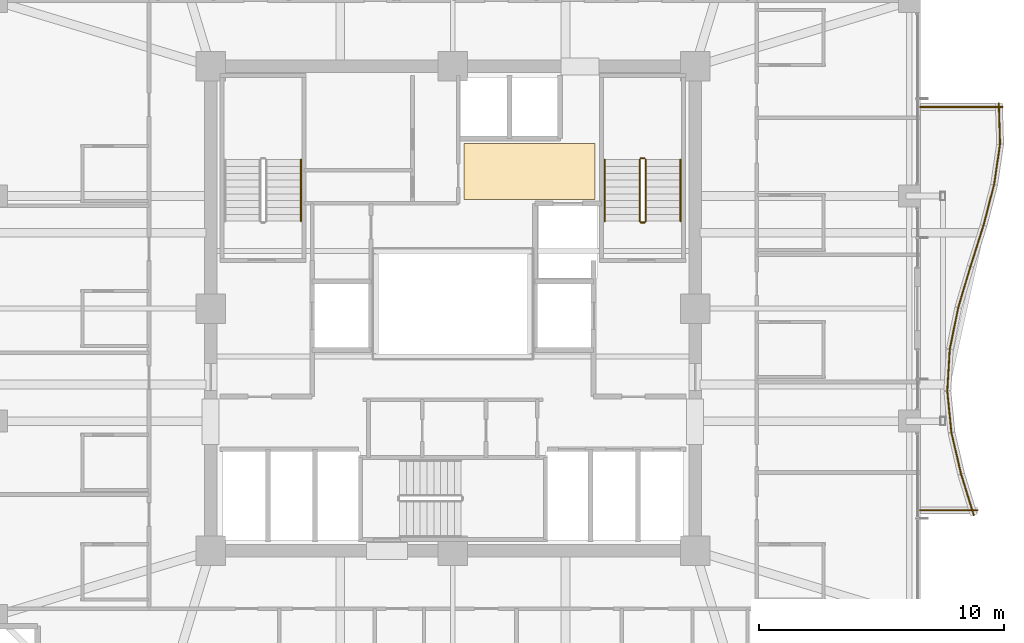
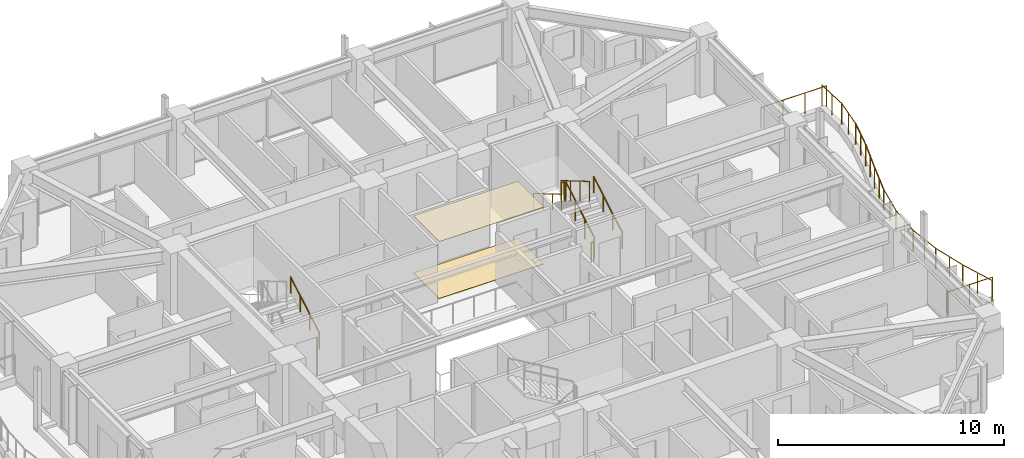
# One storey, part 37 of 37: 19 railings, 2 coverings.
"""IFC4 building model written with IfcOpenShell, lengths in metres."""

import ifcopenshell
import ifcopenshell.guid

model = None  # the IFC model being written
_history = None  # IfcOwnerHistory: only IFC2X3 demands one
_inside = {}  # id of a spatial element -> (the spatial element, [elements in it])
_under = {}  # id of a project, library or spatial element -> (it, [spatial elements below it])
_declared = {}  # id of a project -> (the project, [libraries it declares])
_typed = {}  # id of a type object -> (the type object, [elements of that type])
_made_of = {}  # id of a material, layer set ... -> (it, [elements and type objects made of it])


def new_model(schema):
    """Start an empty IFC model of exactly this schema.

    Asked for "IFC4X3", IfcOpenShell would pick the latest addendum, in which some entities
    have other attributes; the version numbers below select the first issue.
    IFC2X3 requires an IfcOwnerHistory on every rooted entity: one is made here for all.
    """
    global model, _history
    if schema == "IFC4X3":
        model = ifcopenshell.file(schema_version=(4, 3, 0, 0))
    else:
        model = ifcopenshell.file(schema=schema)
    _inside.clear()
    _under.clear()
    _declared.clear()
    _typed.clear()
    _made_of.clear()
    _history = None
    if model.schema == "IFC2X3":
        org = make("IfcOrganization", Name="unknown")
        user = make(
            "IfcPersonAndOrganization",
            ThePerson=make("IfcPerson", FamilyName="unknown"),
            TheOrganization=org,
        )
        app = make(
            "IfcApplication",
            ApplicationDeveloper=org,
            Version="unknown",
            ApplicationFullName="unknown",
            ApplicationIdentifier="unknown",
        )
        _history = make(
            "IfcOwnerHistory",
            OwningUser=user,
            OwningApplication=app,
            ChangeAction="ADDED",
            CreationDate=0,
        )
    return model


def make(cls, **values):
    """One entity of the class cls with the attributes given. An attribute that is None is left unset."""
    return model.create_entity(
        cls, **{name: value for name, value in values.items() if value is not None}
    )


def rooted(cls, **values):
    """An entity with a GlobalId (a new one), such as an element, a storey or a relation."""
    return make(cls, GlobalId=ifcopenshell.guid.new(), OwnerHistory=_history, **values)


def si_unit(unit_type, name, prefix=None):
    """IfcSIUnit, for example si_unit("LENGTHUNIT", "METRE", prefix="MILLI")."""
    return make("IfcSIUnit", UnitType=unit_type, Prefix=prefix, Name=name)


def assignment(units):
    """IfcUnitAssignment: the units of a project."""
    return None if units is None else make("IfcUnitAssignment", Units=units)


def point(xyz):
    """IfcCartesianPoint."""
    return None if xyz is None else make("IfcCartesianPoint", Coordinates=xyz)


def direction(xyz):
    """IfcDirection."""
    return None if xyz is None else make("IfcDirection", DirectionRatios=xyz)


def frame(location, z_axis=None, x_axis=None):
    """IfcAxis2Placement3D, a coordinate frame: its origin and axes. An axis left out is left unset."""
    return make(
        "IfcAxis2Placement3D",
        Location=point(location),
        Axis=direction(z_axis),
        RefDirection=direction(x_axis),
    )


def frame_2d(location, x_axis=None):
    """IfcAxis2Placement2D, a coordinate frame in the plane: its origin and x axis."""
    return make(
        "IfcAxis2Placement2D", Location=point(location), RefDirection=direction(x_axis)
    )


def origin():
    """The frame at (0, 0, 0) with its axes left unset."""
    return frame((0.0, 0.0, 0.0))


def origin_2d():
    """The frame at (0, 0) in the plane with its x axis left unset."""
    return frame_2d((0.0, 0.0))


def place(relative_to, where):
    """IfcLocalPlacement: puts the frame where relative to a parent placement (None: the world)."""
    return make(
        "IfcLocalPlacement", PlacementRelTo=relative_to, RelativePlacement=where
    )


def context(
    kind, dimensions, precision=None, world=None, true_north=None, identifier=None
):
    """IfcGeometricRepresentationContext, for example the 3D "Model" context."""
    return make(
        "IfcGeometricRepresentationContext",
        ContextIdentifier=identifier,
        ContextType=kind,
        CoordinateSpaceDimension=dimensions,
        Precision=precision,
        WorldCoordinateSystem=world,
        TrueNorth=true_north,
    )


def subcontext(parent, identifier, kind, view, scale=None):
    """IfcGeometricRepresentationSubContext, for example "Body" below "Model"."""
    return make(
        "IfcGeometricRepresentationSubContext",
        ContextIdentifier=identifier,
        ContextType=kind,
        ParentContext=parent,
        TargetScale=scale,
        TargetView=view,
    )


def project(units=None, contexts=None):
    """IfcProject with its units and contexts."""
    return rooted(
        "IfcProject",
        Name="project",
        RepresentationContexts=contexts,
        UnitsInContext=assignment(units),
    )


def spatial(cls, under=None, at=None, **own):
    """A site, building, storey or space (cls), placed at a placement, below another one or the project."""
    s = rooted(cls, ObjectPlacement=at, **own)
    if under is not None:
        _under.setdefault(under.id(), (under, []))[1].append(s)
    return s


def polyline(points):
    """IfcPolyline through the points."""
    return make("IfcPolyline", Points=[point(p) for p in points])


def profile(cls, at=None, kind="AREA", **sizes):
    """A parametric profile (cls). Its sizes go by their IFC names, for example OverallWidth=200.0."""
    return make(cls, ProfileType=kind, Position=at, **sizes)


def circle(**sizes):
    """IfcCircleProfileDef."""
    return profile("IfcCircleProfileDef", **sizes)


def outline(outer, holes=None, kind="AREA"):
    """IfcArbitraryClosedProfileDef: a profile drawn as a closed curve; with holes, ...WithVoids."""
    if holes is None:
        return make("IfcArbitraryClosedProfileDef", ProfileType=kind, OuterCurve=outer)
    return make(
        "IfcArbitraryProfileDefWithVoids",
        ProfileType=kind,
        OuterCurve=outer,
        InnerCurves=holes,
    )


def extrude(swept, where, along, depth):
    """IfcExtrudedAreaSolid: the profile swept, set in the frame where, extruded along a direction by depth."""
    return make(
        "IfcExtrudedAreaSolid",
        SweptArea=swept,
        Position=where,
        ExtrudedDirection=direction(along),
        Depth=depth,
    )


def shape(context_of_items, identifier, shape_type, items):
    """IfcShapeRepresentation: the items that make up one representation, for example the "Body"."""
    return make(
        "IfcShapeRepresentation",
        ContextOfItems=context_of_items,
        RepresentationIdentifier=identifier,
        RepresentationType=shape_type,
        Items=items,
    )


def material(Name=None, Category=None):
    """IfcMaterial."""
    return make("IfcMaterial", Name=Name, Category=Category)


def layer(
    of_material, thickness, ventilated=None, Name=None, Category=None, Priority=None
):
    """IfcMaterialLayer: one layer of a wall or slab, of a material (None: an air gap)."""
    return make(
        "IfcMaterialLayer",
        Material=of_material,
        LayerThickness=thickness,
        IsVentilated=ventilated,
        Name=Name,
        Category=Category,
        Priority=Priority,
    )


def layer_set(layers, Name=None):
    """IfcMaterialLayerSet."""
    return make("IfcMaterialLayerSet", MaterialLayers=layers, LayerSetName=Name)


def made_of(thing, what):
    """Note that an element or type object is made of a material, layer set ...; save() writes the relation."""
    if what is not None:
        _made_of.setdefault(what.id(), (what, []))[1].append(thing)
    return thing


def type_object(cls, material=None, **own):
    """A type object (cls), such as IfcWallType, which elements share."""
    return made_of(rooted(cls, **own), material)


def element(
    cls,
    number,
    at=None,
    inside=None,
    cuts=None,
    type_object=None,
    material=None,
    context=None,
    identifier="Body",
    shape_type=None,
    held_by="IfcProductDefinitionShape",
    body=None,
    shapes=None,
    **own,
):
    """One element of the class cls, such as IfcWall. Its Tag is "e" and its number.

    at: its placement. inside: the storey or other place that contains it. cuts: it is an
    opening in that element (IfcRelVoidsElement). A single representation is given by context,
    identifier, shape_type and body (its items); several are given by shapes. held_by: the class
    of the entity that holds the representations. save() writes the other relations.
    """
    e = rooted(cls, Tag="e%d" % number, ObjectPlacement=at, **own)
    if body is not None:
        shapes = [shape(context, identifier, shape_type, body)]
    if shapes is not None:
        e.Representation = make(held_by, Representations=shapes)
    if inside is not None:
        _inside.setdefault(inside.id(), (inside, []))[1].append(e)
    if cuts is not None:
        rooted(
            "IfcRelVoidsElement", RelatingBuildingElement=cuts, RelatedOpeningElement=e
        )
    if type_object is not None:
        _typed.setdefault(type_object.id(), (type_object, []))[1].append(e)
    return made_of(e, material)


def aggregate(whole, parts):
    """IfcRelAggregates: a whole, such as a stair, and the parts it consists of."""
    return rooted("IfcRelAggregates", RelatingObject=whole, RelatedObjects=parts)


def save(model, path):
    """Write the relations noted so far, then the file.

    IfcRelAggregates (storeys below a building ...), IfcRelContainedInSpatialStructure (elements
    in a storey), IfcRelDefinesByType, IfcRelAssociatesMaterial and IfcRelDeclares: one each for
    every whole, place, type object, material and project.
    """
    for whole, parts in _under.values():
        aggregate(whole, parts)
    for where, things in _inside.values():
        rooted(
            "IfcRelContainedInSpatialStructure",
            RelatedElements=things,
            RelatingStructure=where,
        )
    for kind, things in _typed.values():
        rooted("IfcRelDefinesByType", RelatedObjects=things, RelatingType=kind)
    for what, things in _made_of.values():
        rooted("IfcRelAssociatesMaterial", RelatedObjects=things, RelatingMaterial=what)
    for by, libraries in _declared.values():
        rooted("IfcRelDeclares", RelatingContext=by, RelatedDefinitions=libraries)
    model.write(path)


model = new_model("IFC4")

# Units and contexts
model_context = context("Model", 3, precision=1e-05, world=origin(), true_north=direction((0.0, 1.0)))
body_context = subcontext(model_context, "Body", "Model", "MODEL_VIEW")
ifc_project = project(units=[si_unit("LENGTHUNIT", "METRE"), si_unit("AREAUNIT", "SQUARE_METRE"), si_unit("VOLUMEUNIT", "CUBIC_METRE"), si_unit("PLANEANGLEUNIT", "RADIAN"), si_unit("MASSUNIT", "GRAM", prefix="KILO")], contexts=[model_context])

# Site, building, storey
site_placement = place(None, origin())
site = spatial("IfcSite", under=ifc_project, at=site_placement, CompositionType="ELEMENT")
building_placement = place(site_placement, origin())
building = spatial("IfcBuilding", under=site, at=building_placement, Name="Kolvaren Belvedere", CompositionType="ELEMENT")
storey_placement = place(building_placement, frame((0.0, 0.0, 156.89990234375)))
storey = spatial("IfcBuildingStorey", under=building, at=storey_placement, Name="L45", CompositionType="ELEMENT", Elevation=156.89990234375)

# Coverings
ifc_material_1 = material(Name="Acoustic perforated gypsum board", Category="gypsum")
ifc_layer_1 = layer(ifc_material_1, 0.02490234375)
ifc_layer_set_1 = layer_set([ifc_layer_1], Name="Acoustic perforated gypsum board")
covering_type_1 = type_object("IfcCoveringType", Name="COV-CEIL-GYP", PredefinedType="CEILING", material=ifc_layer_set_1)
covering_1_placement = place(storey_placement, frame((0.0, 0.0, 3.0751953125)))
element("IfcCovering", 1, at=covering_1_placement, inside=storey, type_object=covering_type_1, Name="L45 Lift Lobby Acoustic Baffle Ceiling", PredefinedType="CEILING", context=body_context, shape_type="SweptSolid", body=[
    extrude(outline(polyline([(0.449951171875, 4.449951171875), (5.800048828125, 4.449951171875), (5.800048828125, 6.75), (0.449951171875, 6.75), (0.449951171875, 4.449951171875)])), origin(), (0.0, 0.0, 1.0), 0.02490234375),
])
ifc_material_2 = material(Name="Engineered Pacific white oak", Category="timber")
ifc_layer_2 = layer(ifc_material_2, 0.02001953125)
ifc_layer_set_2 = layer_set([ifc_layer_2], Name="Engineered Pacific white oak")
covering_type_2 = type_object("IfcCoveringType", Name="COV-FLR-OAK", PredefinedType="FLOORING", material=ifc_layer_set_2)
covering_2_placement = place(storey_placement, origin())
element("IfcCovering", 2, at=covering_2_placement, inside=storey, type_object=covering_type_2, Name="L45 Lift Lobby Finish Flooring", PredefinedType="FLOORING", context=body_context, shape_type="SweptSolid", body=[
    extrude(outline(polyline([(0.449951171875, 4.449951171875), (5.800048828125, 4.449951171875), (5.800048828125, 6.75), (0.449951171875, 6.75), (0.449951171875, 4.449951171875)])), origin(), (0.0, 0.0, 1.0), 0.02001953125),
])

# Railings
ifc_material_3 = material(Name="Anodised pale-metal aluminium & laminated glass guard", Category="aluminium")
railing_type_1 = type_object("IfcRailingType", Name="RL-GUARD-1150", PredefinedType="GUARDRAIL", material=ifc_material_3)
railing_1_placement = place(storey_placement, frame((21.287109375, -8.447265625, 0.400146484375)))
element("IfcRailing", 3, at=railing_1_placement, inside=storey, type_object=railing_type_1, Name="L45 Exterior Deck Safety Guard BAL-E-1", PredefinedType="GUARDRAIL", context=body_context, shape_type="SweptSolid", body=[
    extrude(circle(Radius=0.02392578125, at=origin_2d()), frame((0.0, 0.0, 1.1259765625), z_axis=(-0.295831524561, 0.95524013163, 0.0), x_axis=(-0.95524013163, -0.295831524561, 0.0)), (0.0, 0.0, 1.0), 1.758544921875),
    extrude(circle(Radius=0.02099609375, at=origin_2d()), origin(), (0.0, 0.0, 1.0), 1.101806640625),
    extrude(circle(Radius=0.02099609375, at=origin_2d()), frame((-0.26025390625, 0.83984375, 0.0)), (0.0, 0.0, 1.0), 1.101806640625),
    extrude(circle(Radius=0.02099609375, at=origin_2d()), frame((-0.520263671875, 1.679931640625, 0.0)), (0.0, 0.0, 1.0), 1.101806640625),
])
railing_2_placement = place(storey_placement, frame((20.763916015625, -6.75634765625, 0.400146484375)))
element("IfcRailing", 4, at=railing_2_placement, inside=storey, type_object=railing_type_1, Name="L45 Exterior Deck Safety Guard BAL-E-2", PredefinedType="GUARDRAIL", context=body_context, shape_type="SweptSolid", body=[
    extrude(circle(Radius=0.02392578125, at=origin_2d()), frame((0.0, 0.0, 1.1259765625), z_axis=(-0.227019323824, 0.973890253884, 0.0), x_axis=(-0.973890253884, -0.227019323824, 0.0)), (0.0, 0.0, 1.0), 1.724853515625),
    extrude(circle(Radius=0.02099609375, at=origin_2d()), origin(), (0.0, 0.0, 1.0), 1.101806640625),
    extrude(circle(Radius=0.02099609375, at=origin_2d()), frame((-0.19580078125, 0.83984375, 0.0)), (0.0, 0.0, 1.0), 1.101806640625),
    extrude(circle(Radius=0.02099609375, at=origin_2d()), frame((-0.3916015625, 1.679931640625, 0.0)), (0.0, 0.0, 1.0), 1.101806640625),
])
railing_3_placement = place(storey_placement, frame((20.368896484375, -5.0556640625, 0.400146484375)))
element("IfcRailing", 5, at=railing_3_placement, inside=storey, type_object=railing_type_1, Name="L45 Exterior Deck Safety Guard BAL-E-3", PredefinedType="GUARDRAIL", context=body_context, shape_type="SweptSolid", body=[
    extrude(circle(Radius=0.02392578125, at=origin_2d()), frame((0.0, 0.0, 1.1259765625), z_axis=(-0.098343801694, 0.995152499202, 0.0), x_axis=(-0.995152499202, -0.098343801694, 0.0)), (0.0, 0.0, 1.0), 1.688232421875),
    extrude(circle(Radius=0.02099609375, at=origin_2d()), origin(), (0.0, 0.0, 1.0), 1.101806640625),
    extrude(circle(Radius=0.02099609375, at=origin_2d()), frame((-0.0830078125, 0.83984375, 0.0)), (0.0, 0.0, 1.0), 1.101806640625),
    extrude(circle(Radius=0.02099609375, at=origin_2d()), frame((-0.166015625, 1.679931640625, 0.0)), (0.0, 0.0, 1.0), 1.101806640625),
])
railing_4_placement = place(storey_placement, frame((20.202392578125, -3.350341796875, 0.400146484375)))
element("IfcRailing", 6, at=railing_4_placement, inside=storey, type_object=railing_type_1, Name="L45 Exterior Deck Safety Guard BAL-E-4", PredefinedType="GUARDRAIL", context=body_context, shape_type="SweptSolid", body=[
    extrude(circle(Radius=0.02392578125, at=origin_2d()), frame((0.0, 0.0, 1.1259765625), z_axis=(0.059767979379, 0.998212296378, 0.0), x_axis=(-0.998212296378, 0.059767979379, 0.0)), (0.0, 0.0, 1.0), 1.682861328125),
    extrude(circle(Radius=0.02099609375, at=origin_2d()), origin(), (0.0, 0.0, 1.0), 1.101806640625),
    extrude(circle(Radius=0.02099609375, at=origin_2d()), frame((0.05029296875, 0.83984375, 0.0)), (0.0, 0.0, 1.0), 1.101806640625),
    extrude(circle(Radius=0.02099609375, at=origin_2d()), frame((0.1005859375, 1.679931640625, 0.0)), (0.0, 0.0, 1.0), 1.101806640625),
])
railing_5_placement = place(storey_placement, frame((20.305908203125, -1.64794921875, 0.400146484375)))
element("IfcRailing", 7, at=railing_5_placement, inside=storey, type_object=railing_type_1, Name="L45 Exterior Deck Safety Guard BAL-E-5", PredefinedType="GUARDRAIL", context=body_context, shape_type="SweptSolid", body=[
    extrude(circle(Radius=0.02392578125, at=origin_2d()), frame((0.0, 0.0, 1.1259765625), z_axis=(0.199784246163, 0.979839912937, 0.0), x_axis=(-0.979839912937, 0.199784246163, 0.0)), (0.0, 0.0, 1.0), 1.714599609375),
    extrude(circle(Radius=0.02099609375, at=origin_2d()), origin(), (0.0, 0.0, 1.0), 1.101806640625),
    extrude(circle(Radius=0.02099609375, at=origin_2d()), frame((0.17138671875, 0.83984375, 0.0)), (0.0, 0.0, 1.0), 1.101806640625),
    extrude(circle(Radius=0.02099609375, at=origin_2d()), frame((0.342529296875, 1.679931640625, 0.0)), (0.0, 0.0, 1.0), 1.101806640625),
])
railing_6_placement = place(storey_placement, frame((20.65185546875, 0.045654296875, 0.400146484375)))
element("IfcRailing", 8, at=railing_6_placement, inside=storey, type_object=railing_type_1, Name="L45 Exterior Deck Safety Guard BAL-E-6", PredefinedType="GUARDRAIL", context=body_context, shape_type="SweptSolid", body=[
    extrude(circle(Radius=0.02392578125, at=origin_2d()), frame((0.0, 0.0, 1.1259765625), z_axis=(0.284880325779, 0.95856309129, 0.0), x_axis=(-0.95856309129, 0.284880325779, 0.0)), (0.0, 0.0, 1.0), 1.75244140625),
    extrude(circle(Radius=0.02099609375, at=origin_2d()), origin(), (0.0, 0.0, 1.0), 1.101806640625),
    extrude(circle(Radius=0.02099609375, at=origin_2d()), frame((0.24951171875, 0.83984375, 0.0)), (0.0, 0.0, 1.0), 1.101806640625),
    extrude(circle(Radius=0.02099609375, at=origin_2d()), frame((0.499267578125, 1.679931640625, 0.0)), (0.0, 0.0, 1.0), 1.101806640625),
])
railing_7_placement = place(storey_placement, frame((21.152099609375, 1.728515625, 0.400146484375)))
element("IfcRailing", 9, at=railing_7_placement, inside=storey, type_object=railing_type_1, Name="L45 Exterior Deck Safety Guard BAL-E-7", PredefinedType="GUARDRAIL", context=body_context, shape_type="SweptSolid", body=[
    extrude(circle(Radius=0.02392578125, at=origin_2d()), frame((0.0, 0.0, 1.1259765625), z_axis=(0.302397356111, 0.953181954832, 0.0), x_axis=(-0.953181954832, 0.302397356111, 0.0)), (0.0, 0.0, 1.0), 1.762451171875),
    extrude(circle(Radius=0.02099609375, at=origin_2d()), origin(), (0.0, 0.0, 1.0), 1.101806640625),
    extrude(circle(Radius=0.02099609375, at=origin_2d()), frame((0.2666015625, 0.83984375, 0.0)), (0.0, 0.0, 1.0), 1.101806640625),
    extrude(circle(Radius=0.02099609375, at=origin_2d()), frame((0.532958984375, 1.679931640625, 0.0)), (0.0, 0.0, 1.0), 1.101806640625),
])
railing_8_placement = place(storey_placement, frame((21.6826171875, 3.400146484375, 0.400146484375)))
element("IfcRailing", 10, at=railing_8_placement, inside=storey, type_object=railing_type_1, Name="L45 Exterior Deck Safety Guard BAL-E-8", PredefinedType="GUARDRAIL", context=body_context, shape_type="SweptSolid", body=[
    extrude(circle(Radius=0.02392578125, at=origin_2d()), frame((0.0, 0.0, 1.1259765625), z_axis=(0.250439664624, 0.968132209145, 0.0), x_axis=(-0.968132209145, 0.250439664624, 0.0)), (0.0, 0.0, 1.0), 1.7353515625),
    extrude(circle(Radius=0.02099609375, at=origin_2d()), origin(), (0.0, 0.0, 1.0), 1.101806640625),
    extrude(circle(Radius=0.02099609375, at=origin_2d()), frame((0.21728515625, 0.83984375, 0.0)), (0.0, 0.0, 1.0), 1.101806640625),
    extrude(circle(Radius=0.02099609375, at=origin_2d()), frame((0.4345703125, 1.679931640625, 0.0)), (0.0, 0.0, 1.0), 1.101806640625),
])
railing_9_placement = place(storey_placement, frame((22.114013671875, 5.063232421875, 0.400146484375)))
element("IfcRailing", 11, at=railing_9_placement, inside=storey, type_object=railing_type_1, Name="L45 Exterior Deck Safety Guard BAL-E-9", PredefinedType="GUARDRAIL", context=body_context, shape_type="SweptSolid", body=[
    extrude(circle(Radius=0.02392578125, at=origin_2d()), frame((0.0, 0.0, 1.1259765625), z_axis=(0.145907826437, 0.98929818871, 0.0), x_axis=(-0.98929818871, 0.145907826437, 0.0)), (0.0, 0.0, 1.0), 1.6982421875),
    extrude(circle(Radius=0.02099609375, at=origin_2d()), origin(), (0.0, 0.0, 1.0), 1.101806640625),
    extrude(circle(Radius=0.02099609375, at=origin_2d()), frame((0.1240234375, 0.840087890625, 0.0)), (0.0, 0.0, 1.0), 1.101806640625),
    extrude(circle(Radius=0.02099609375, at=origin_2d()), frame((0.247802734375, 1.68017578125, 0.0)), (0.0, 0.0, 1.0), 1.101806640625),
])
railing_10_placement = place(storey_placement, frame((22.360107421875, 6.715087890625, 0.400146484375)))
element("IfcRailing", 12, at=railing_10_placement, inside=storey, type_object=railing_type_1, Name="L45 Exterior Deck Safety Guard BAL-E-10", PredefinedType="GUARDRAIL", context=body_context, shape_type="SweptSolid", body=[
    extrude(circle(Radius=0.02392578125, at=origin_2d()), frame((0.0, 0.0, 1.1259765625), z_axis=(-0.031520443874, 0.999503107358, 0.0), x_axis=(-0.999503107358, -0.031520443874, 0.0)), (0.0, 0.0, 1.0), 1.6806640625),
    extrude(circle(Radius=0.02099609375, at=origin_2d()), origin(), (0.0, 0.0, 1.0), 1.101806640625),
    extrude(circle(Radius=0.02099609375, at=origin_2d()), frame((-0.0263671875, 0.83984375, 0.0)), (0.0, 0.0, 1.0), 1.101806640625),
    extrude(circle(Radius=0.02099609375, at=origin_2d()), frame((-0.052978515625, 1.679931640625, 0.0)), (0.0, 0.0, 1.0), 1.101806640625),
])
railing_11_placement = place(storey_placement, frame((22.467041015625, 8.239990234375, 0.400146484375)))
element("IfcRailing", 13, at=railing_11_placement, inside=storey, type_object=railing_type_1, Name="L45 Exterior Deck Safety Guard BAL-E-11", PredefinedType="GUARDRAIL", context=body_context, shape_type="SweptSolid", body=[
    extrude(circle(Radius=0.02392578125, at=origin_2d()), frame((0.0, 0.0, 1.1259765625), z_axis=(-1.0, 0.0, 0.0), x_axis=(0.0, -1.0, 0.0)), (0.0, 0.0, 1.0), 3.366943359375),
    extrude(circle(Radius=0.02099609375, at=origin_2d()), origin(), (0.0, 0.0, 1.0), 1.101806640625),
    extrude(circle(Radius=0.02099609375, at=origin_2d()), frame((-1.122314453125, 0.0, 0.0)), (0.0, 0.0, 1.0), 1.101806640625),
    extrude(circle(Radius=0.02099609375, at=origin_2d()), frame((-2.24462890625, 0.0, 0.0)), (0.0, 0.0, 1.0), 1.101806640625),
    extrude(circle(Radius=0.02099609375, at=origin_2d()), frame((-3.366943359375, 0.0, 0.0)), (0.0, 0.0, 1.0), 1.101806640625),
])
railing_12_placement = place(storey_placement, frame((19.10009765625, -8.239990234375, 0.400146484375)))
element("IfcRailing", 14, at=railing_12_placement, inside=storey, type_object=railing_type_1, Name="L45 Exterior Deck Safety Guard BAL-E-22", PredefinedType="GUARDRAIL", context=body_context, shape_type="SweptSolid", body=[
    extrude(circle(Radius=0.02392578125, at=origin_2d()), frame((0.0, 0.0, 1.1259765625), z_axis=(1.0, 0.0, 0.0), x_axis=(0.0, 1.0, 0.0)), (0.0, 0.0, 1.0), 2.33984375),
    extrude(circle(Radius=0.02099609375, at=origin_2d()), origin(), (0.0, 0.0, 1.0), 1.101806640625),
    extrude(circle(Radius=0.02099609375, at=origin_2d()), frame((1.169921875, 0.0, 0.0)), (0.0, 0.0, 1.0), 1.101806640625),
    extrude(circle(Radius=0.02099609375, at=origin_2d()), frame((2.33984375, 0.0, 0.0)), (0.0, 0.0, 1.0), 1.101806640625),
])
ifc_material_4 = material(Name="Brushed stainless-steel handrail", Category="steel")
railing_type_2 = type_object("IfcRailingType", Name="RL-HANDRAIL-920", PredefinedType="HANDRAIL", material=ifc_material_4)
for number, where, name in (
    (15, (-6.2099609375, 3.570068359375, 0.1650390625), "L45 ST-1 stair handrail 1"),
    (16, (9.300048828125, 3.570068359375, 0.1650390625), "L45 ST-2 stair handrail 1"),
):
    element("IfcRailing", number, at=place(storey_placement, frame(where)), inside=storey, type_object=railing_type_2, Name=name, PredefinedType="HANDRAIL", context=body_context, shape_type="SweptSolid", body=[
        extrude(circle(Radius=0.02392578125, at=origin_2d()), frame((0.0, 0.0, 0.8759765625), z_axis=(0.0, 0.86152411907, 0.507716645641), x_axis=(-1.0, 0.0, 0.0)), (0.0, 0.0, 1.0), 2.925048828125),
        extrude(circle(Radius=0.02099609375, at=origin_2d()), origin(), (0.0, 0.0, 1.0), 0.851806640625),
        extrude(circle(Radius=0.02099609375, at=origin_2d()), frame((0.0, 0.840087890625, 0.4951171875)), (0.0, 0.0, 1.0), 0.851806640625),
        extrude(circle(Radius=0.02099609375, at=origin_2d()), frame((0.0, 1.679931640625, 0.989990234375)), (0.0, 0.0, 1.0), 0.851806640625),
        extrude(circle(Radius=0.02099609375, at=origin_2d()), frame((0.0, 2.52001953125, 1.485107421875)), (0.0, 0.0, 1.0), 0.851806640625),
    ])
railing_13_placement = place(storey_placement, frame((6.2099609375, 6.090087890625, 1.815185546875)))
element("IfcRailing", 17, at=railing_13_placement, inside=storey, type_object=railing_type_2, Name="L45 ST-2 stair handrail 2", PredefinedType="HANDRAIL", context=body_context, shape_type="SweptSolid", body=[
    extrude(circle(Radius=0.02392578125, at=origin_2d()), frame((0.0, 0.0, 0.8759765625), z_axis=(0.0, -0.861560626758, 0.507654692109), x_axis=(1.0, 0.0, 0.0)), (0.0, 0.0, 1.0), 2.925048828125),
    extrude(circle(Radius=0.02099609375, at=origin_2d()), origin(), (0.0, 0.0, 1.0), 0.851806640625),
    extrude(circle(Radius=0.02099609375, at=origin_2d()), frame((0.0, -0.840087890625, 0.494873046875)), (0.0, 0.0, 1.0), 0.851806640625),
    extrude(circle(Radius=0.02099609375, at=origin_2d()), frame((0.0, -1.679931640625, 0.989990234375)), (0.0, 0.0, 1.0), 0.851806640625),
    extrude(circle(Radius=0.02099609375, at=origin_2d()), frame((0.0, -2.52001953125, 1.48486328125)), (0.0, 0.0, 1.0), 0.851806640625),
])
ifc_material_5 = material(Name="Painted tubular steel stair guard", Category="steel")
railing_type_3 = type_object("IfcRailingType", Name="RL-STGUARD-1100", PredefinedType="GUARDRAIL", material=ifc_material_5)
railing_14_placement = place(storey_placement, frame((7.8798828125, 3.570068359375, 0.1650390625)))
element("IfcRailing", 18, at=railing_14_placement, inside=storey, type_object=railing_type_3, Name="L45 ST-2 stair guard 1", PredefinedType="GUARDRAIL", context=body_context, shape_type="SweptSolid", body=[
    extrude(circle(Radius=0.02392578125, at=origin_2d()), frame((0.0, 0.0, 1.076171875), z_axis=(0.0, 0.86152411907, 0.507716645641), x_axis=(-1.0, 0.0, 0.0)), (0.0, 0.0, 1.0), 2.925048828125),
    extrude(circle(Radius=0.02099609375, at=origin_2d()), origin(), (0.0, 0.0, 1.0), 1.052001953125),
    extrude(circle(Radius=0.02099609375, at=origin_2d()), frame((0.0, 0.840087890625, 0.4951171875)), (0.0, 0.0, 1.0), 1.052001953125),
    extrude(circle(Radius=0.02099609375, at=origin_2d()), frame((0.0, 1.679931640625, 0.989990234375)), (0.0, 0.0, 1.0), 1.052001953125),
    extrude(circle(Radius=0.02099609375, at=origin_2d()), frame((0.0, 2.52001953125, 1.485107421875)), (0.0, 0.0, 1.0), 1.052001953125),
])
railing_15_placement = place(storey_placement, frame((7.830078125, 6.139892578125, 1.650146484375)))
element("IfcRailing", 19, at=railing_15_placement, inside=storey, type_object=railing_type_3, Name="L45 ST-2 stair guard 2", PredefinedType="GUARDRAIL", context=body_context, shape_type="SweptSolid", body=[
    extrude(circle(Radius=0.02392578125, at=origin_2d()), frame((0.0, 0.0, 1.076171875), z_axis=(-1.0, 0.0, 0.0), x_axis=(0.0, -1.0, 0.0)), (0.0, 0.0, 1.0), 0.150146484375),
    extrude(circle(Radius=0.02099609375, at=origin_2d()), origin(), (0.0, 0.0, 1.0), 1.052001953125),
    extrude(circle(Radius=0.02099609375, at=origin_2d()), frame((-0.150146484375, 0.0, 0.0)), (0.0, 0.0, 1.0), 1.052001953125),
])
railing_16_placement = place(storey_placement, frame((7.6298828125, 6.090087890625, 1.815185546875)))
element("IfcRailing", 20, at=railing_16_placement, inside=storey, type_object=railing_type_3, Name="L45 ST-2 stair guard 3", PredefinedType="GUARDRAIL", context=body_context, shape_type="SweptSolid", body=[
    extrude(circle(Radius=0.02392578125, at=origin_2d()), frame((0.0, 0.0, 1.076171875), z_axis=(0.0, -0.861560626758, 0.507654692109), x_axis=(1.0, 0.0, 0.0)), (0.0, 0.0, 1.0), 2.925048828125),
    extrude(circle(Radius=0.02099609375, at=origin_2d()), origin(), (0.0, 0.0, 1.0), 1.052001953125),
    extrude(circle(Radius=0.02099609375, at=origin_2d()), frame((0.0, -0.840087890625, 0.494873046875)), (0.0, 0.0, 1.0), 1.052001953125),
    extrude(circle(Radius=0.02099609375, at=origin_2d()), frame((0.0, -1.679931640625, 0.989990234375)), (0.0, 0.0, 1.0), 1.052001953125),
    extrude(circle(Radius=0.02099609375, at=origin_2d()), frame((0.0, -2.52001953125, 1.48486328125)), (0.0, 0.0, 1.0), 1.052001953125),
])
railing_17_placement = place(storey_placement, frame((7.830078125, 3.52001953125, 0.0)))
element("IfcRailing", 21, at=railing_17_placement, inside=storey, type_object=railing_type_3, Name="L45 ST-2 stair guard 4", PredefinedType="GUARDRAIL", context=body_context, shape_type="SweptSolid", body=[
    extrude(circle(Radius=0.02392578125, at=origin_2d()), frame((0.0, 0.0, 1.076171875), z_axis=(-1.0, 0.0, 0.0), x_axis=(0.0, -1.0, 0.0)), (0.0, 0.0, 1.0), 0.150146484375),
    extrude(circle(Radius=0.02099609375, at=origin_2d()), origin(), (0.0, 0.0, 1.0), 1.052001953125),
    extrude(circle(Radius=0.02099609375, at=origin_2d()), frame((-0.150146484375, 0.0, 0.0)), (0.0, 0.0, 1.0), 1.052001953125),
])

save(model, "model.ifc")
